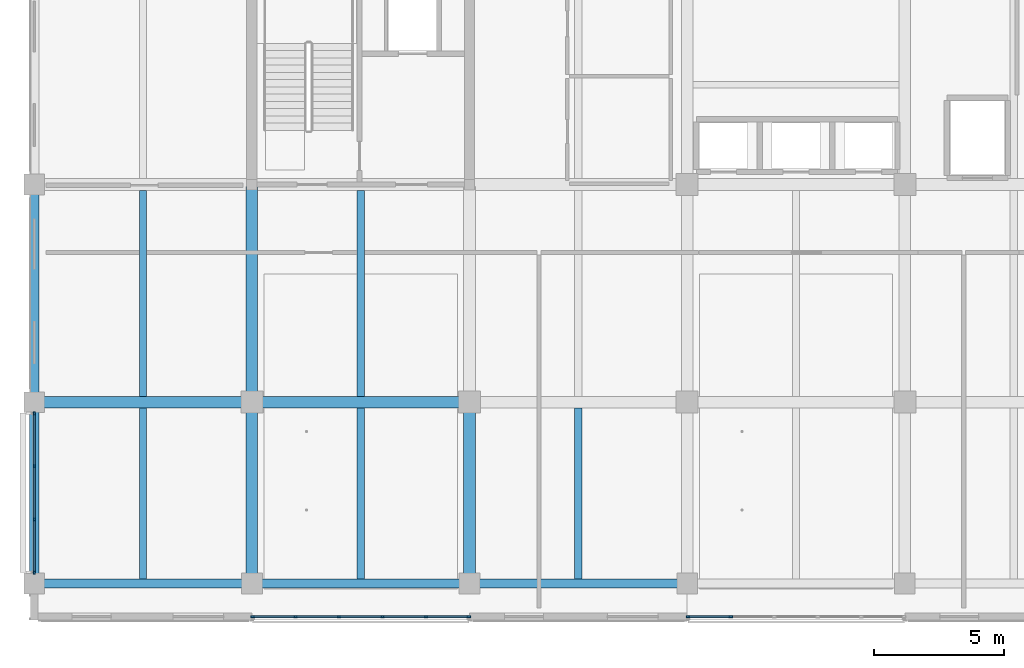
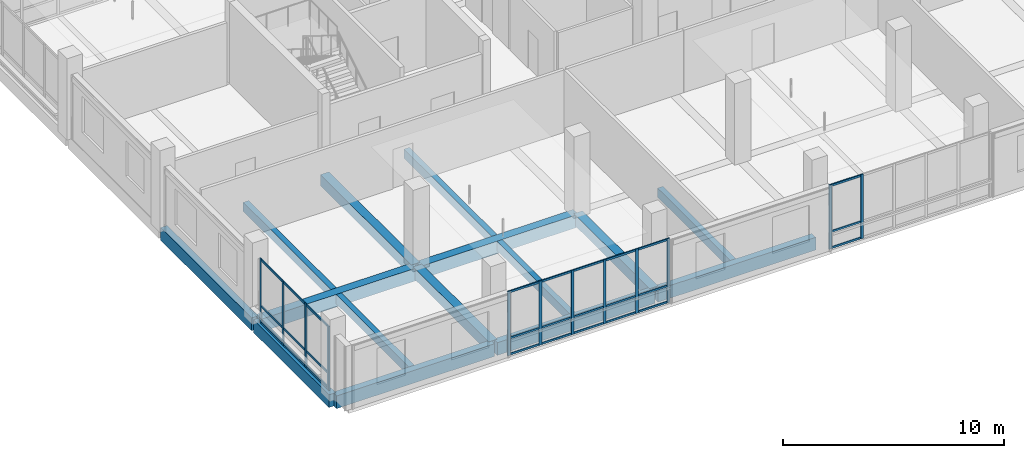
# One storey, part 2 of 36: 39 members, 15 beams, 3 elements without a shape of their own.
"""IFC4 building model written with IfcOpenShell, lengths in metres."""

from ifc_helpers import new_model, si_unit, direction, frame, origin, origin_2d, place, context, subcontext, project, spatial, rectangle, extrude, material, layer, layer_set, material_profile, profile_set, type_object, element, aggregate, save


model = new_model("IFC4")

# Units and contexts
model_context = context("Model", 3, precision=1e-05, world=origin(), true_north=direction((0.0, 1.0)))
body_context = subcontext(model_context, "Body", "Model", "MODEL_VIEW")
ifc_project = project(units=[si_unit("LENGTHUNIT", "METRE"), si_unit("AREAUNIT", "SQUARE_METRE"), si_unit("VOLUMEUNIT", "CUBIC_METRE"), si_unit("PLANEANGLEUNIT", "RADIAN"), si_unit("MASSUNIT", "GRAM", prefix="KILO")], contexts=[model_context])

# Site, building, storey
site_placement = place(None, origin())
site = spatial("IfcSite", under=ifc_project, at=site_placement, CompositionType="ELEMENT")
building_placement = place(site_placement, origin())
building = spatial("IfcBuilding", under=site, at=building_placement, Name="Telukmera Botanical Conservatory", CompositionType="ELEMENT")
storey_placement = place(building_placement, frame((0.0, 0.0, 33.0)))
storey = spatial("IfcBuildingStorey", under=building, at=storey_placement, Name="L07", CompositionType="ELEMENT", Elevation=33.0)

# Beams
ifc_material_1 = material(Name="Concrete C40/50", Category="concrete")
ifc_material_profile_1 = material_profile(ifc_material_1, rectangle(XDim=0.449951171875, YDim=0.699951171875, at=origin_2d()), Name="RC 450x700")
ifc_profile_set_1 = profile_set([ifc_material_profile_1], Name="Concrete C40/50")
beam_type_1 = type_object("IfcBeamType", Name="Beam_B15", PredefinedType="BEAM", material=ifc_profile_set_1)
beam_1_placement = place(storey_placement, frame((50.47998046875, 17.60009765625, -0.35009765625), z_axis=(1.0, 0.0, 0.0), x_axis=(0.0, 1.0, 0.0)))
element("IfcBeam", 1, at=beam_1_placement, inside=storey, type_object=beam_type_1, Name="Tower Grid Beam L07", PredefinedType="BEAM", context=body_context, shape_type="SweptSolid", body=[
    extrude(rectangle(XDim=0.449951171875, YDim=0.699951171875, at=origin_2d()), origin(), (0.0, 0.0, 1.0), 8.239990234375),
])
beam_2_placement = place(storey_placement, frame((58.8798828125, 17.60009765625, -0.35009765625), z_axis=(1.0, 0.0, 0.0), x_axis=(0.0, 1.0, 0.0)))
element("IfcBeam", 2, at=beam_2_placement, inside=storey, type_object=beam_type_1, Name="Tower Grid Beam L07", PredefinedType="BEAM", context=body_context, shape_type="SweptSolid", body=[
    extrude(rectangle(XDim=0.449951171875, YDim=0.699951171875, at=origin_2d()), origin(), (0.0, 0.0, 1.0), 8.240234375),
])
ifc_material_profile_2 = material_profile(ifc_material_1, rectangle(XDim=0.449951171875, YDim=0.60009765625, at=origin_2d()), Name="RC 450x600")
ifc_profile_set_2 = profile_set([ifc_material_profile_2], Name="Concrete C40/50")
beam_type_2 = type_object("IfcBeamType", Name="Beam_B17", PredefinedType="BEAM", material=ifc_profile_set_2)
beam_3_placement = place(storey_placement, frame((58.800048828125, 10.679931640625, -0.300048828125), z_axis=(0.0, 1.0, 0.0), x_axis=(-1.0, 0.0, 0.0)))
element("IfcBeam", 3, at=beam_3_placement, inside=storey, type_object=beam_type_2, Name="Tower Transverse Beam L07", PredefinedType="BEAM", context=body_context, shape_type="SweptSolid", body=[
    extrude(rectangle(XDim=0.449951171875, YDim=0.60009765625, at=origin_2d()), origin(), (0.0, 0.0, 1.0), 6.840087890625),
])
beam_4_placement = place(storey_placement, frame((58.800048828125, 17.679931640625, -0.300048828125), z_axis=(0.0, 1.0, 0.0), x_axis=(-1.0, 0.0, 0.0)))
element("IfcBeam", 4, at=beam_4_placement, inside=storey, type_object=beam_type_2, Name="Tower Transverse Beam L07", PredefinedType="BEAM", context=body_context, shape_type="SweptSolid", body=[
    extrude(rectangle(XDim=0.449951171875, YDim=0.60009765625, at=origin_2d()), origin(), (0.0, 0.0, 1.0), 8.239990234375),
])
beam_5_placement = place(storey_placement, frame((67.199951171875, 10.679931640625, -0.300048828125), z_axis=(0.0, 1.0, 0.0), x_axis=(-1.0, 0.0, 0.0)))
element("IfcBeam", 5, at=beam_5_placement, inside=storey, type_object=beam_type_2, Name="Tower Transverse Beam L07", PredefinedType="BEAM", context=body_context, shape_type="SweptSolid", body=[
    extrude(rectangle(XDim=0.449951171875, YDim=0.60009765625, at=origin_2d()), origin(), (0.0, 0.0, 1.0), 6.840087890625),
])
ifc_material_profile_3 = material_profile(ifc_material_1, rectangle(XDim=0.280029296875, YDim=0.5, at=origin_2d()), Name="RC 280x500")
ifc_profile_set_3 = profile_set([ifc_material_profile_3], Name="Concrete C40/50")
beam_type_3 = type_object("IfcBeamType", Name="Beam_B26", PredefinedType="JOIST", material=ifc_profile_set_3)
beam_6_placement = place(storey_placement, frame((54.60009765625, 10.77490234375, -0.25), z_axis=(0.0, 1.0, 0.0), x_axis=(-1.0, 0.0, 0.0)))
element("IfcBeam", 6, at=beam_6_placement, inside=storey, type_object=beam_type_3, Name="Tower Secondary Floor Joist L07", PredefinedType="JOIST", context=body_context, shape_type="SweptSolid", body=[
    extrude(rectangle(XDim=0.280029296875, YDim=0.5, at=origin_2d()), origin(), (0.0, 0.0, 1.0), 6.60009765625),
])
beam_7_placement = place(storey_placement, frame((54.60009765625, 17.824951171875, -0.25), z_axis=(0.0, 1.0, 0.0), x_axis=(-1.0, 0.0, 0.0)))
element("IfcBeam", 7, at=beam_7_placement, inside=storey, type_object=beam_type_3, Name="Tower Secondary Floor Joist L07", PredefinedType="JOIST", context=body_context, shape_type="SweptSolid", body=[
    extrude(rectangle(XDim=0.280029296875, YDim=0.5, at=origin_2d()), origin(), (0.0, 0.0, 1.0), 7.949951171875),
])
beam_8_placement = place(storey_placement, frame((63.0, 10.77490234375, -0.25), z_axis=(0.0, 1.0, 0.0), x_axis=(-1.0, 0.0, 0.0)))
element("IfcBeam", 8, at=beam_8_placement, inside=storey, type_object=beam_type_3, Name="Tower Secondary Floor Joist L07", PredefinedType="JOIST", context=body_context, shape_type="SweptSolid", body=[
    extrude(rectangle(XDim=0.280029296875, YDim=0.5, at=origin_2d()), origin(), (0.0, 0.0, 1.0), 6.60009765625),
])
beam_9_placement = place(storey_placement, frame((63.0, 17.824951171875, -0.25), z_axis=(0.0, 1.0, 0.0), x_axis=(-1.0, 0.0, 0.0)))
element("IfcBeam", 9, at=beam_9_placement, inside=storey, type_object=beam_type_3, Name="Tower Secondary Floor Joist L07", PredefinedType="JOIST", context=body_context, shape_type="SweptSolid", body=[
    extrude(rectangle(XDim=0.280029296875, YDim=0.5, at=origin_2d()), origin(), (0.0, 0.0, 1.0), 7.949951171875),
])
beam_10_placement = place(storey_placement, frame((71.39990234375, 10.77490234375, -0.25), z_axis=(0.0, 1.0, 0.0), x_axis=(-1.0, 0.0, 0.0)))
element("IfcBeam", 10, at=beam_10_placement, inside=storey, type_object=beam_type_3, Name="Tower Secondary Floor Joist L07", PredefinedType="JOIST", context=body_context, shape_type="SweptSolid", body=[
    extrude(rectangle(XDim=0.280029296875, YDim=0.5, at=origin_2d()), origin(), (0.0, 0.0, 1.0), 6.60009765625),
])
ifc_material_2 = material(Name="Precast concrete C40/50", Category="concrete")
ifc_material_profile_4 = material_profile(ifc_material_2, rectangle(XDim=0.35009765625, YDim=0.699951171875, at=origin_2d()), Name="PC 350x700")
ifc_profile_set_4 = profile_set([ifc_material_profile_4], Name="Precast concrete C40/50")
beam_type_4 = type_object("IfcBeamType", Name="Beam_SP2", PredefinedType="SPANDREL", material=ifc_profile_set_4)
beam_11_placement = place(storey_placement, frame((50.47998046875, 10.60009765625, -0.35009765625), z_axis=(1.0, 0.0, 0.0), x_axis=(0.0, 1.0, 0.0)))
element("IfcBeam", 11, at=beam_11_placement, inside=storey, type_object=beam_type_4, Name="Tower Grid Beam L07", PredefinedType="SPANDREL", context=body_context, shape_type="SweptSolid", body=[
    extrude(rectangle(XDim=0.35009765625, YDim=0.699951171875, at=origin_2d()), origin(), (0.0, 0.0, 1.0), 8.239990234375),
])
beam_12_placement = place(storey_placement, frame((58.8798828125, 10.60009765625, -0.35009765625), z_axis=(1.0, 0.0, 0.0), x_axis=(0.0, 1.0, 0.0)))
element("IfcBeam", 12, at=beam_12_placement, inside=storey, type_object=beam_type_4, Name="Tower Grid Beam L07", PredefinedType="SPANDREL", context=body_context, shape_type="SweptSolid", body=[
    extrude(rectangle(XDim=0.35009765625, YDim=0.699951171875, at=origin_2d()), origin(), (0.0, 0.0, 1.0), 8.240234375),
])
beam_13_placement = place(storey_placement, frame((67.280029296875, 10.60009765625, -0.35009765625), z_axis=(1.0, 0.0, 0.0), x_axis=(0.0, 1.0, 0.0)))
element("IfcBeam", 13, at=beam_13_placement, inside=storey, type_object=beam_type_4, Name="Tower Grid Beam L07", PredefinedType="SPANDREL", context=body_context, shape_type="SweptSolid", body=[
    extrude(rectangle(XDim=0.35009765625, YDim=0.699951171875, at=origin_2d()), origin(), (0.0, 0.0, 1.0), 8.239990234375),
])
beam_14_placement = place(storey_placement, frame((50.39990234375, 10.679931640625, -0.35009765625), z_axis=(0.0, 1.0, 0.0), x_axis=(-1.0, 0.0, 0.0)))
element("IfcBeam", 14, at=beam_14_placement, inside=storey, type_object=beam_type_4, Name="Tower Transverse Beam L07", PredefinedType="SPANDREL", context=body_context, shape_type="SweptSolid", body=[
    extrude(rectangle(XDim=0.35009765625, YDim=0.699951171875, at=origin_2d()), origin(), (0.0, 0.0, 1.0), 6.840087890625),
])
beam_15_placement = place(storey_placement, frame((50.39990234375, 17.679931640625, -0.35009765625), z_axis=(0.0, 1.0, 0.0), x_axis=(-1.0, 0.0, 0.0)))
element("IfcBeam", 15, at=beam_15_placement, inside=storey, type_object=beam_type_4, Name="Tower Transverse Beam L07", PredefinedType="SPANDREL", context=body_context, shape_type="SweptSolid", body=[
    extrude(rectangle(XDim=0.35009765625, YDim=0.699951171875, at=origin_2d()), origin(), (0.0, 0.0, 1.0), 8.239990234375),
])

# Curtain wall, members
ifc_material_3 = material(Name="Anodised aluminium 6063-T6", Category="aluminium")
ifc_layer = layer(ifc_material_3, 0.179931640625)
ifc_layer_set = layer_set([ifc_layer], Name="Anodised aluminium 6063-T6")
curtain_wall_type = type_object("IfcCurtainWallType", Name="Tower Research Laboratory Unitised Curtain Wall", PredefinedType="USERDEFINED", material=ifc_layer_set)
curtain_wall_1_placement = place(storey_placement, origin())
curtain_wall_1 = element("IfcCurtainWall", 16, at=curtain_wall_1_placement, inside=storey, type_object=curtain_wall_type, Name="Unitised Curtain Wall CW15 V4:L07:S2", ObjectType="UNITISED CURTAIN WALL", PredefinedType="USERDEFINED")
ifc_material_profile_5 = material_profile(ifc_material_3, rectangle(XDim=0.06005859375, YDim=0.139892578125, at=origin_2d()), Name="ALU MULL 60x140")
ifc_profile_set_5 = profile_set([ifc_material_profile_5], Name="Anodised aluminium 6063-T6")
member_type_1 = type_object("IfcMemberType", Name="Curtain Wall Extruded Mullion 60x140", PredefinedType="MULLION", material=ifc_profile_set_5)
member_1_placement = place(storey_placement, frame((58.83203125, 9.320068359375, 0.0), z_axis=(0.0, 0.0, 1.0), x_axis=(0.0, 1.0, 0.0)))
member_1 = element("IfcMember", 17, at=member_1_placement, type_object=member_type_1, Name="CW15 mullion 1", PredefinedType="MULLION", context=body_context, shape_type="SweptSolid", body=[
    extrude(rectangle(XDim=0.06005859375, YDim=0.139892578125, at=origin_2d()), origin(), (0.0, 0.0, 1.0), 3.550048828125),
])
member_2_placement = place(storey_placement, frame((60.481201171875, 9.320068359375, 0.0), z_axis=(0.0, 0.0, 1.0), x_axis=(0.0, 1.0, 0.0)))
member_2 = element("IfcMember", 18, at=member_2_placement, type_object=member_type_1, Name="CW15 mullion 2", PredefinedType="MULLION", context=body_context, shape_type="SweptSolid", body=[
    extrude(rectangle(XDim=0.06005859375, YDim=0.139892578125, at=origin_2d()), origin(), (0.0, 0.0, 1.0), 3.550048828125),
])
member_3_placement = place(storey_placement, frame((62.160400390625, 9.320068359375, 0.0), z_axis=(0.0, 0.0, 1.0), x_axis=(0.0, 1.0, 0.0)))
member_3 = element("IfcMember", 19, at=member_3_placement, type_object=member_type_1, Name="CW15 mullion 3", PredefinedType="MULLION", context=body_context, shape_type="SweptSolid", body=[
    extrude(rectangle(XDim=0.06005859375, YDim=0.139892578125, at=origin_2d()), origin(), (0.0, 0.0, 1.0), 3.550048828125),
])
member_4_placement = place(storey_placement, frame((63.839599609375, 9.320068359375, 0.0), z_axis=(0.0, 0.0, 1.0), x_axis=(0.0, 1.0, 0.0)))
member_4 = element("IfcMember", 20, at=member_4_placement, type_object=member_type_1, Name="CW15 mullion 4", PredefinedType="MULLION", context=body_context, shape_type="SweptSolid", body=[
    extrude(rectangle(XDim=0.06005859375, YDim=0.139892578125, at=origin_2d()), origin(), (0.0, 0.0, 1.0), 3.550048828125),
])
member_5_placement = place(storey_placement, frame((65.518798828125, 9.320068359375, 0.0), z_axis=(0.0, 0.0, 1.0), x_axis=(0.0, 1.0, 0.0)))
member_5 = element("IfcMember", 21, at=member_5_placement, type_object=member_type_1, Name="CW15 mullion 5", PredefinedType="MULLION", context=body_context, shape_type="SweptSolid", body=[
    extrude(rectangle(XDim=0.06005859375, YDim=0.139892578125, at=origin_2d()), origin(), (0.0, 0.0, 1.0), 3.550048828125),
])
member_6_placement = place(storey_placement, frame((67.16796875, 9.320068359375, 0.0), z_axis=(0.0, 0.0, 1.0), x_axis=(0.0, 1.0, 0.0)))
member_6 = element("IfcMember", 22, at=member_6_placement, type_object=member_type_1, Name="CW15 mullion 6", PredefinedType="MULLION", context=body_context, shape_type="SweptSolid", body=[
    extrude(rectangle(XDim=0.06005859375, YDim=0.139892578125, at=origin_2d()), origin(), (0.0, 0.0, 1.0), 3.550048828125),
])

curtain_wall_2_placement = place(storey_placement, origin())
curtain_wall_2 = element("IfcCurtainWall", 23, at=curtain_wall_2_placement, inside=storey, type_object=curtain_wall_type, Name="Unitised Curtain Wall CW15 V4:L07:S4", ObjectType="UNITISED CURTAIN WALL", PredefinedType="USERDEFINED")
member_7_placement = place(storey_placement, frame((75.632080078125, 9.320068359375, 0.0), z_axis=(0.0, 0.0, 1.0), x_axis=(0.0, 1.0, 0.0)))
member_7 = element("IfcMember", 24, at=member_7_placement, type_object=member_type_1, Name="CW15 mullion 1", PredefinedType="MULLION", context=body_context, shape_type="SweptSolid", body=[
    extrude(rectangle(XDim=0.06005859375, YDim=0.139892578125, at=origin_2d()), origin(), (0.0, 0.0, 1.0), 3.550048828125),
])
member_8_placement = place(storey_placement, frame((77.28125, 9.320068359375, 0.0), z_axis=(0.0, 0.0, 1.0), x_axis=(0.0, 1.0, 0.0)))
member_8 = element("IfcMember", 25, at=member_8_placement, type_object=member_type_1, Name="CW15 mullion 2", PredefinedType="MULLION", context=body_context, shape_type="SweptSolid", body=[
    extrude(rectangle(XDim=0.06005859375, YDim=0.139892578125, at=origin_2d()), origin(), (0.0, 0.0, 1.0), 3.550048828125),
])

curtain_wall_3_placement = place(storey_placement, origin())
curtain_wall_3 = element("IfcCurtainWall", 26, at=curtain_wall_3_placement, inside=storey, type_object=curtain_wall_type, Name="Unitised Curtain Wall CW15 V4:L07:W1", ObjectType="UNITISED CURTAIN WALL", PredefinedType="USERDEFINED")
member_9_placement = place(storey_placement, frame((50.39990234375, 11.031982421875, 0.0), z_axis=(0.0, 0.0, 1.0), x_axis=(-1.0, 0.0, 0.0)))
member_9 = element("IfcMember", 27, at=member_9_placement, type_object=member_type_1, Name="CW15 mullion 1", PredefinedType="MULLION", context=body_context, shape_type="SweptSolid", body=[
    extrude(rectangle(XDim=0.06005859375, YDim=0.139892578125, at=origin_2d()), origin(), (0.0, 0.0, 1.0), 3.550048828125),
])
member_10_placement = place(storey_placement, frame((50.39990234375, 13.0673828125, 0.0), z_axis=(0.0, 0.0, 1.0), x_axis=(-1.0, 0.0, 0.0)))
member_10 = element("IfcMember", 28, at=member_10_placement, type_object=member_type_1, Name="CW15 mullion 2", PredefinedType="MULLION", context=body_context, shape_type="SweptSolid", body=[
    extrude(rectangle(XDim=0.06005859375, YDim=0.139892578125, at=origin_2d()), origin(), (0.0, 0.0, 1.0), 3.550048828125),
])
member_11_placement = place(storey_placement, frame((50.39990234375, 15.132568359375, 0.0), z_axis=(0.0, 0.0, 1.0), x_axis=(-1.0, 0.0, 0.0)))
member_11 = element("IfcMember", 29, at=member_11_placement, type_object=member_type_1, Name="CW15 mullion 3", PredefinedType="MULLION", context=body_context, shape_type="SweptSolid", body=[
    extrude(rectangle(XDim=0.06005859375, YDim=0.139892578125, at=origin_2d()), origin(), (0.0, 0.0, 1.0), 3.550048828125),
])
member_12_placement = place(storey_placement, frame((50.39990234375, 17.16796875, 0.0), z_axis=(0.0, 0.0, 1.0), x_axis=(-1.0, 0.0, 0.0)))
member_12 = element("IfcMember", 30, at=member_12_placement, type_object=member_type_1, Name="CW15 mullion 4", PredefinedType="MULLION", context=body_context, shape_type="SweptSolid", body=[
    extrude(rectangle(XDim=0.06005859375, YDim=0.139892578125, at=origin_2d()), origin(), (0.0, 0.0, 1.0), 3.550048828125),
])

# Member
ifc_material_profile_6 = material_profile(ifc_material_3, rectangle(XDim=0.06005859375, YDim=0.110107421875, at=origin_2d()), Name="ALU TRAN 60x110")
ifc_profile_set_6 = profile_set([ifc_material_profile_6], Name="Anodised aluminium 6063-T6")
member_type_2 = type_object("IfcMemberType", Name="Curtain Wall Extruded Transom 60x110", PredefinedType="USERDEFINED", material=ifc_profile_set_6)
member_13_placement = place(storey_placement, frame((58.862060546875, 9.320068359375, 0.054931640625), z_axis=(1.0, 0.0, 0.0), x_axis=(0.0, 1.0, 0.0)))
member_13 = element("IfcMember", 31, at=member_13_placement, type_object=member_type_2, Name="CW15 transom 1.1", ObjectType="TRANSOM", PredefinedType="USERDEFINED", context=body_context, shape_type="SweptSolid", body=[
    extrude(rectangle(XDim=0.06005859375, YDim=0.110107421875, at=origin_2d()), origin(), (0.0, 0.0, 1.0), 1.589111328125),
])

member_14_placement = place(storey_placement, frame((58.862060546875, 9.320068359375, 0.949951171875), z_axis=(1.0, 0.0, 0.0), x_axis=(0.0, 1.0, 0.0)))
member_14 = element("IfcMember", 32, at=member_14_placement, type_object=member_type_2, Name="CW15 transom 1.2", ObjectType="TRANSOM", PredefinedType="USERDEFINED", context=body_context, shape_type="SweptSolid", body=[
    extrude(rectangle(XDim=0.06005859375, YDim=0.110107421875, at=origin_2d()), origin(), (0.0, 0.0, 1.0), 1.589111328125),
])

member_15_placement = place(storey_placement, frame((58.862060546875, 9.320068359375, 3.4951171875), z_axis=(1.0, 0.0, 0.0), x_axis=(0.0, 1.0, 0.0)))
member_15 = element("IfcMember", 33, at=member_15_placement, type_object=member_type_2, Name="CW15 transom 1.3", ObjectType="TRANSOM", PredefinedType="USERDEFINED", context=body_context, shape_type="SweptSolid", body=[
    extrude(rectangle(XDim=0.06005859375, YDim=0.110107421875, at=origin_2d()), origin(), (0.0, 0.0, 1.0), 1.589111328125),
])

member_16_placement = place(storey_placement, frame((60.51123046875, 9.320068359375, 0.054931640625), z_axis=(1.0, 0.0, 0.0), x_axis=(0.0, 1.0, 0.0)))
member_16 = element("IfcMember", 34, at=member_16_placement, type_object=member_type_2, Name="CW15 transom 2.1", ObjectType="TRANSOM", PredefinedType="USERDEFINED", context=body_context, shape_type="SweptSolid", body=[
    extrude(rectangle(XDim=0.06005859375, YDim=0.110107421875, at=origin_2d()), origin(), (0.0, 0.0, 1.0), 1.619140625),
])

member_17_placement = place(storey_placement, frame((60.51123046875, 9.320068359375, 0.949951171875), z_axis=(1.0, 0.0, 0.0), x_axis=(0.0, 1.0, 0.0)))
member_17 = element("IfcMember", 35, at=member_17_placement, type_object=member_type_2, Name="CW15 transom 2.2", ObjectType="TRANSOM", PredefinedType="USERDEFINED", context=body_context, shape_type="SweptSolid", body=[
    extrude(rectangle(XDim=0.06005859375, YDim=0.110107421875, at=origin_2d()), origin(), (0.0, 0.0, 1.0), 1.619140625),
])

member_18_placement = place(storey_placement, frame((60.51123046875, 9.320068359375, 3.4951171875), z_axis=(1.0, 0.0, 0.0), x_axis=(0.0, 1.0, 0.0)))
member_18 = element("IfcMember", 36, at=member_18_placement, type_object=member_type_2, Name="CW15 transom 2.3", ObjectType="TRANSOM", PredefinedType="USERDEFINED", context=body_context, shape_type="SweptSolid", body=[
    extrude(rectangle(XDim=0.06005859375, YDim=0.110107421875, at=origin_2d()), origin(), (0.0, 0.0, 1.0), 1.619140625),
])

member_19_placement = place(storey_placement, frame((62.1904296875, 9.320068359375, 0.054931640625), z_axis=(1.0, 0.0, 0.0), x_axis=(0.0, 1.0, 0.0)))
member_19 = element("IfcMember", 37, at=member_19_placement, type_object=member_type_2, Name="CW15 transom 3.1", ObjectType="TRANSOM", PredefinedType="USERDEFINED", context=body_context, shape_type="SweptSolid", body=[
    extrude(rectangle(XDim=0.06005859375, YDim=0.110107421875, at=origin_2d()), origin(), (0.0, 0.0, 1.0), 1.619140625),
])

member_20_placement = place(storey_placement, frame((62.1904296875, 9.320068359375, 0.949951171875), z_axis=(1.0, 0.0, 0.0), x_axis=(0.0, 1.0, 0.0)))
member_20 = element("IfcMember", 38, at=member_20_placement, type_object=member_type_2, Name="CW15 transom 3.2", ObjectType="TRANSOM", PredefinedType="USERDEFINED", context=body_context, shape_type="SweptSolid", body=[
    extrude(rectangle(XDim=0.06005859375, YDim=0.110107421875, at=origin_2d()), origin(), (0.0, 0.0, 1.0), 1.619140625),
])

member_21_placement = place(storey_placement, frame((62.1904296875, 9.320068359375, 3.4951171875), z_axis=(1.0, 0.0, 0.0), x_axis=(0.0, 1.0, 0.0)))
member_21 = element("IfcMember", 39, at=member_21_placement, type_object=member_type_2, Name="CW15 transom 3.3", ObjectType="TRANSOM", PredefinedType="USERDEFINED", context=body_context, shape_type="SweptSolid", body=[
    extrude(rectangle(XDim=0.06005859375, YDim=0.110107421875, at=origin_2d()), origin(), (0.0, 0.0, 1.0), 1.619140625),
])

member_22_placement = place(storey_placement, frame((63.86962890625, 9.320068359375, 0.054931640625), z_axis=(1.0, 0.0, 0.0), x_axis=(0.0, 1.0, 0.0)))
member_22 = element("IfcMember", 40, at=member_22_placement, type_object=member_type_2, Name="CW15 transom 4.1", ObjectType="TRANSOM", PredefinedType="USERDEFINED", context=body_context, shape_type="SweptSolid", body=[
    extrude(rectangle(XDim=0.06005859375, YDim=0.110107421875, at=origin_2d()), origin(), (0.0, 0.0, 1.0), 1.619140625),
])

member_23_placement = place(storey_placement, frame((63.86962890625, 9.320068359375, 0.949951171875), z_axis=(1.0, 0.0, 0.0), x_axis=(0.0, 1.0, 0.0)))
member_23 = element("IfcMember", 41, at=member_23_placement, type_object=member_type_2, Name="CW15 transom 4.2", ObjectType="TRANSOM", PredefinedType="USERDEFINED", context=body_context, shape_type="SweptSolid", body=[
    extrude(rectangle(XDim=0.06005859375, YDim=0.110107421875, at=origin_2d()), origin(), (0.0, 0.0, 1.0), 1.619140625),
])

member_24_placement = place(storey_placement, frame((63.86962890625, 9.320068359375, 3.4951171875), z_axis=(1.0, 0.0, 0.0), x_axis=(0.0, 1.0, 0.0)))
member_24 = element("IfcMember", 42, at=member_24_placement, type_object=member_type_2, Name="CW15 transom 4.3", ObjectType="TRANSOM", PredefinedType="USERDEFINED", context=body_context, shape_type="SweptSolid", body=[
    extrude(rectangle(XDim=0.06005859375, YDim=0.110107421875, at=origin_2d()), origin(), (0.0, 0.0, 1.0), 1.619140625),
])

member_25_placement = place(storey_placement, frame((65.548828125, 9.320068359375, 0.054931640625), z_axis=(1.0, 0.0, 0.0), x_axis=(0.0, 1.0, 0.0)))
member_25 = element("IfcMember", 43, at=member_25_placement, type_object=member_type_2, Name="CW15 transom 5.1", ObjectType="TRANSOM", PredefinedType="USERDEFINED", context=body_context, shape_type="SweptSolid", body=[
    extrude(rectangle(XDim=0.06005859375, YDim=0.110107421875, at=origin_2d()), origin(), (0.0, 0.0, 1.0), 1.589111328125),
])

member_26_placement = place(storey_placement, frame((65.548828125, 9.320068359375, 0.949951171875), z_axis=(1.0, 0.0, 0.0), x_axis=(0.0, 1.0, 0.0)))
member_26 = element("IfcMember", 44, at=member_26_placement, type_object=member_type_2, Name="CW15 transom 5.2", ObjectType="TRANSOM", PredefinedType="USERDEFINED", context=body_context, shape_type="SweptSolid", body=[
    extrude(rectangle(XDim=0.06005859375, YDim=0.110107421875, at=origin_2d()), origin(), (0.0, 0.0, 1.0), 1.589111328125),
])

member_27_placement = place(storey_placement, frame((65.548828125, 9.320068359375, 3.4951171875), z_axis=(1.0, 0.0, 0.0), x_axis=(0.0, 1.0, 0.0)))
member_27 = element("IfcMember", 45, at=member_27_placement, type_object=member_type_2, Name="CW15 transom 5.3", ObjectType="TRANSOM", PredefinedType="USERDEFINED", context=body_context, shape_type="SweptSolid", body=[
    extrude(rectangle(XDim=0.06005859375, YDim=0.110107421875, at=origin_2d()), origin(), (0.0, 0.0, 1.0), 1.589111328125),
])

aggregate(curtain_wall_1, [member_1, member_2, member_3, member_4, member_5, member_6, member_13, member_14, member_15, member_16, member_17, member_18, member_19, member_20, member_21, member_22, member_23, member_24, member_25, member_26, member_27])

member_28_placement = place(storey_placement, frame((75.662109375, 9.320068359375, 0.054931640625), z_axis=(1.0, 0.0, 0.0), x_axis=(0.0, 1.0, 0.0)))
member_28 = element("IfcMember", 46, at=member_28_placement, type_object=member_type_2, Name="CW15 transom 1.1", ObjectType="TRANSOM", PredefinedType="USERDEFINED", context=body_context, shape_type="SweptSolid", body=[
    extrude(rectangle(XDim=0.06005859375, YDim=0.110107421875, at=origin_2d()), origin(), (0.0, 0.0, 1.0), 1.589111328125),
])

member_29_placement = place(storey_placement, frame((75.662109375, 9.320068359375, 0.949951171875), z_axis=(1.0, 0.0, 0.0), x_axis=(0.0, 1.0, 0.0)))
member_29 = element("IfcMember", 47, at=member_29_placement, type_object=member_type_2, Name="CW15 transom 1.2", ObjectType="TRANSOM", PredefinedType="USERDEFINED", context=body_context, shape_type="SweptSolid", body=[
    extrude(rectangle(XDim=0.06005859375, YDim=0.110107421875, at=origin_2d()), origin(), (0.0, 0.0, 1.0), 1.589111328125),
])

member_30_placement = place(storey_placement, frame((75.662109375, 9.320068359375, 3.4951171875), z_axis=(1.0, 0.0, 0.0), x_axis=(0.0, 1.0, 0.0)))
member_30 = element("IfcMember", 48, at=member_30_placement, type_object=member_type_2, Name="CW15 transom 1.3", ObjectType="TRANSOM", PredefinedType="USERDEFINED", context=body_context, shape_type="SweptSolid", body=[
    extrude(rectangle(XDim=0.06005859375, YDim=0.110107421875, at=origin_2d()), origin(), (0.0, 0.0, 1.0), 1.589111328125),
])

aggregate(curtain_wall_2, [member_7, member_8, member_28, member_29, member_30])

member_31_placement = place(storey_placement, frame((50.39990234375, 11.06201171875, 0.054931640625), z_axis=(0.0, 1.0, 0.0), x_axis=(-1.0, 0.0, 0.0)))
member_31 = element("IfcMember", 49, at=member_31_placement, type_object=member_type_2, Name="CW15 transom 1.1", ObjectType="TRANSOM", PredefinedType="USERDEFINED", context=body_context, shape_type="SweptSolid", body=[
    extrude(rectangle(XDim=0.06005859375, YDim=0.110107421875, at=origin_2d()), origin(), (0.0, 0.0, 1.0), 1.975341796875),
])

member_32_placement = place(storey_placement, frame((50.39990234375, 11.06201171875, 0.949951171875), z_axis=(0.0, 1.0, 0.0), x_axis=(-1.0, 0.0, 0.0)))
member_32 = element("IfcMember", 50, at=member_32_placement, type_object=member_type_2, Name="CW15 transom 1.2", ObjectType="TRANSOM", PredefinedType="USERDEFINED", context=body_context, shape_type="SweptSolid", body=[
    extrude(rectangle(XDim=0.06005859375, YDim=0.110107421875, at=origin_2d()), origin(), (0.0, 0.0, 1.0), 1.975341796875),
])

member_33_placement = place(storey_placement, frame((50.39990234375, 11.06201171875, 3.4951171875), z_axis=(0.0, 1.0, 0.0), x_axis=(-1.0, 0.0, 0.0)))
member_33 = element("IfcMember", 51, at=member_33_placement, type_object=member_type_2, Name="CW15 transom 1.3", ObjectType="TRANSOM", PredefinedType="USERDEFINED", context=body_context, shape_type="SweptSolid", body=[
    extrude(rectangle(XDim=0.06005859375, YDim=0.110107421875, at=origin_2d()), origin(), (0.0, 0.0, 1.0), 1.975341796875),
])

member_34_placement = place(storey_placement, frame((50.39990234375, 13.097412109375, 0.054931640625), z_axis=(0.0, 1.0, 0.0), x_axis=(-1.0, 0.0, 0.0)))
member_34 = element("IfcMember", 52, at=member_34_placement, type_object=member_type_2, Name="CW15 transom 2.1", ObjectType="TRANSOM", PredefinedType="USERDEFINED", context=body_context, shape_type="SweptSolid", body=[
    extrude(rectangle(XDim=0.06005859375, YDim=0.110107421875, at=origin_2d()), origin(), (0.0, 0.0, 1.0), 2.00537109375),
])

member_35_placement = place(storey_placement, frame((50.39990234375, 13.097412109375, 0.949951171875), z_axis=(0.0, 1.0, 0.0), x_axis=(-1.0, 0.0, 0.0)))
member_35 = element("IfcMember", 53, at=member_35_placement, type_object=member_type_2, Name="CW15 transom 2.2", ObjectType="TRANSOM", PredefinedType="USERDEFINED", context=body_context, shape_type="SweptSolid", body=[
    extrude(rectangle(XDim=0.06005859375, YDim=0.110107421875, at=origin_2d()), origin(), (0.0, 0.0, 1.0), 2.00537109375),
])

member_36_placement = place(storey_placement, frame((50.39990234375, 13.097412109375, 3.4951171875), z_axis=(0.0, 1.0, 0.0), x_axis=(-1.0, 0.0, 0.0)))
member_36 = element("IfcMember", 54, at=member_36_placement, type_object=member_type_2, Name="CW15 transom 2.3", ObjectType="TRANSOM", PredefinedType="USERDEFINED", context=body_context, shape_type="SweptSolid", body=[
    extrude(rectangle(XDim=0.06005859375, YDim=0.110107421875, at=origin_2d()), origin(), (0.0, 0.0, 1.0), 2.00537109375),
])

member_37_placement = place(storey_placement, frame((50.39990234375, 15.16259765625, 0.054931640625), z_axis=(0.0, 1.0, 0.0), x_axis=(-1.0, 0.0, 0.0)))
member_37 = element("IfcMember", 55, at=member_37_placement, type_object=member_type_2, Name="CW15 transom 3.1", ObjectType="TRANSOM", PredefinedType="USERDEFINED", context=body_context, shape_type="SweptSolid", body=[
    extrude(rectangle(XDim=0.06005859375, YDim=0.110107421875, at=origin_2d()), origin(), (0.0, 0.0, 1.0), 1.975341796875),
])

member_38_placement = place(storey_placement, frame((50.39990234375, 15.16259765625, 0.949951171875), z_axis=(0.0, 1.0, 0.0), x_axis=(-1.0, 0.0, 0.0)))
member_38 = element("IfcMember", 56, at=member_38_placement, type_object=member_type_2, Name="CW15 transom 3.2", ObjectType="TRANSOM", PredefinedType="USERDEFINED", context=body_context, shape_type="SweptSolid", body=[
    extrude(rectangle(XDim=0.06005859375, YDim=0.110107421875, at=origin_2d()), origin(), (0.0, 0.0, 1.0), 1.975341796875),
])

member_39_placement = place(storey_placement, frame((50.39990234375, 15.16259765625, 3.4951171875), z_axis=(0.0, 1.0, 0.0), x_axis=(-1.0, 0.0, 0.0)))
member_39 = element("IfcMember", 57, at=member_39_placement, type_object=member_type_2, Name="CW15 transom 3.3", ObjectType="TRANSOM", PredefinedType="USERDEFINED", context=body_context, shape_type="SweptSolid", body=[
    extrude(rectangle(XDim=0.06005859375, YDim=0.110107421875, at=origin_2d()), origin(), (0.0, 0.0, 1.0), 1.975341796875),
])

aggregate(curtain_wall_3, [member_9, member_10, member_11, member_12, member_31, member_32, member_33, member_34, member_35, member_36, member_37, member_38, member_39])

save(model, "model.ifc")
